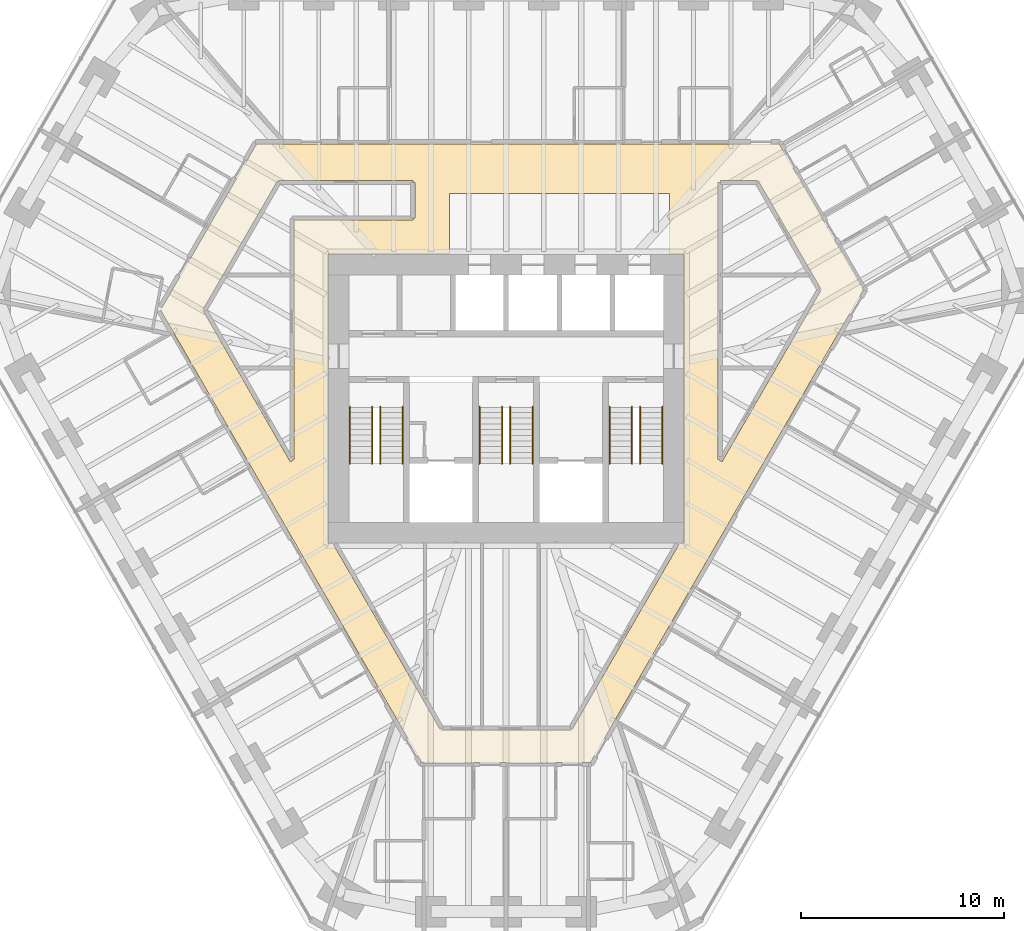
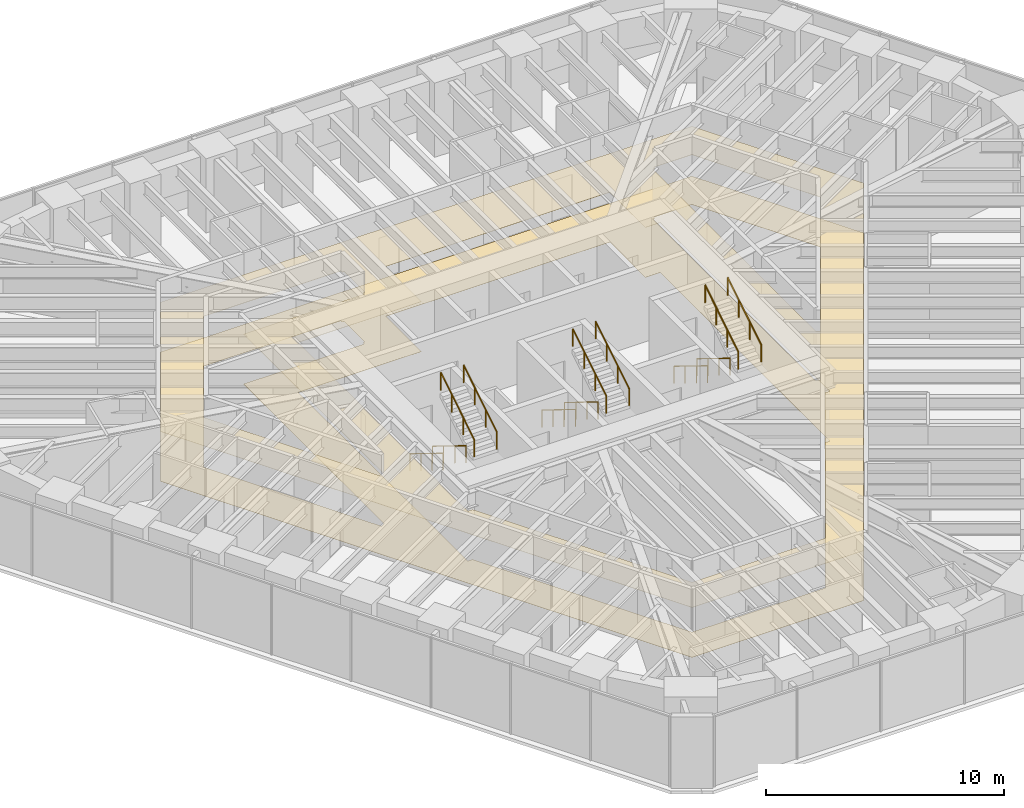
# One storey, part 17 of 17: 12 railings, 2 coverings.
"""IFC4 building model written with IfcOpenShell, lengths in metres."""

from ifc_helpers import new_model, si_unit, direction, frame, origin, origin_2d, place, context, subcontext, project, spatial, polyline, circle, outline, extrude, material, layer, layer_set, type_object, element, save


model = new_model("IFC4")

# Units and contexts
model_context = context("Model", 3, precision=1e-05, world=origin(), true_north=direction((0.0, 1.0)))
body_context = subcontext(model_context, "Body", "Model", "MODEL_VIEW")
ifc_project = project(units=[si_unit("LENGTHUNIT", "METRE"), si_unit("AREAUNIT", "SQUARE_METRE"), si_unit("VOLUMEUNIT", "CUBIC_METRE"), si_unit("PLANEANGLEUNIT", "RADIAN"), si_unit("MASSUNIT", "GRAM", prefix="KILO")], contexts=[model_context])

# Site, building, storey
site_placement = place(None, origin())
site = spatial("IfcSite", under=ifc_project, at=site_placement, CompositionType="ELEMENT")
building_placement = place(site_placement, origin())
building = spatial("IfcBuilding", under=site, at=building_placement, Name="Sandreach Pilgrim Tower", CompositionType="ELEMENT")
storey_placement = place(building_placement, frame((0.0, 0.0, 213.60009765625)))
storey = spatial("IfcBuildingStorey", under=building, at=storey_placement, Name="L53", CompositionType="ELEMENT", Elevation=213.60009765625)

# Coverings
ifc_material_1 = material(Name="Nylon carpet tile on the slab", Category="textile")
ifc_layer_1 = layer(ifc_material_1, 0.008056640625)
ifc_layer_set_1 = layer_set([ifc_layer_1], Name="Carpet tile")
covering_type_1 = type_object("IfcCoveringType", Name="Carpet tile", PredefinedType="FLOORING", material=ifc_layer_set_1)
covering_1_placement = place(storey_placement, origin())
element("IfcCovering", 1, at=covering_1_placement, inside=storey, type_object=covering_type_1, Name="Floor finish 53C Corridor 53", PredefinedType="FLOORING", context=body_context, shape_type="SweptSolid", body=[
    extrude(outline(polyline([(-17.0244140625, 4.369873046875), (-12.292236328125, 12.56005859375), (13.442138671875, 12.56005859375), (17.60302734375, 5.3671875), (4.15234375, -17.929931640625), (-4.15234375, -17.929931640625), (-17.0244140625, 4.369873046875)]), holes=[polyline([(10.449951171875, 10.659912109375), (10.449951171875, -2.9921875), (10.63671875, -3.10009765625), (15.525634765625, 5.370361328125), (12.40771484375, 10.760009765625), (10.56005859375, 10.760009765625), (10.56005859375, 10.66015625), (10.449951171875, 10.659912109375)]), polyline([(-3.227783203125, -16.330078125), (3.227783203125, -16.330078125), (8.542724609375, -7.1201171875), (8.77001953125, -7.1201171875), (8.77001953125, 7.1201171875), (8.050048828125, 7.1201171875), (8.050048828125, 10.10009765625), (-2.800048828125, 10.10009765625), (-2.800048828125, 7.1201171875), (-8.77001953125, 7.1201171875), (-8.77001953125, -7.1201171875), (-8.542724609375, -7.1201171875), (-3.227783203125, -16.330078125)]), polyline([(-14.945556640625, 4.370361328125), (-10.636474609375, -3.10009765625), (-10.449951171875, -2.9921875), (-10.449951171875, 8.800048828125), (-4.60009765625, 8.800048828125), (-4.60009765625, 8.909912109375), (-4.5, 8.909912109375), (-4.5, 10.64990234375), (-4.60009765625, 10.64990234375), (-4.60009765625, 10.760009765625), (-11.247802734375, 10.760009765625), (-14.945556640625, 4.370361328125)])]), origin(), (0.0, 0.0, 1.0), 0.0078125),
])
ifc_material_2 = material(Name="Gypsum board suspended ceiling on a steel grid", Category="steel")
ifc_layer_2 = layer(ifc_material_2, 0.012939453125)
ifc_layer_set_2 = layer_set([ifc_layer_2], Name="Gypsum board suspended ceiling")
covering_type_2 = type_object("IfcCoveringType", Name="Gypsum board suspended ceiling", PredefinedType="CEILING", material=ifc_layer_set_2)
covering_2_placement = place(storey_placement, frame((0.0, 0.0, 2.5498046875)))
element("IfcCovering", 2, at=covering_2_placement, inside=storey, type_object=covering_type_2, Name="Ceiling 53C Corridor 53", PredefinedType="CEILING", context=body_context, shape_type="SweptSolid", body=[
    extrude(outline(polyline([(-17.0244140625, 4.369873046875), (-12.292236328125, 12.56005859375), (13.442138671875, 12.56005859375), (17.60302734375, 5.3671875), (4.15234375, -17.929931640625), (-4.15234375, -17.929931640625), (-17.0244140625, 4.369873046875)]), holes=[polyline([(10.449951171875, 10.659912109375), (10.449951171875, -2.9921875), (10.63671875, -3.10009765625), (15.525634765625, 5.370361328125), (12.40771484375, 10.760009765625), (10.56005859375, 10.760009765625), (10.56005859375, 10.66015625), (10.449951171875, 10.659912109375)]), polyline([(-3.227783203125, -16.330078125), (3.227783203125, -16.330078125), (8.542724609375, -7.1201171875), (8.77001953125, -7.1201171875), (8.77001953125, 7.1201171875), (8.050048828125, 7.1201171875), (8.050048828125, 10.10009765625), (-2.800048828125, 10.10009765625), (-2.800048828125, 7.1201171875), (-8.77001953125, 7.1201171875), (-8.77001953125, -7.1201171875), (-8.542724609375, -7.1201171875), (-3.227783203125, -16.330078125)]), polyline([(-14.945556640625, 4.370361328125), (-10.636474609375, -3.10009765625), (-10.449951171875, -2.9921875), (-10.449951171875, 8.800048828125), (-4.60009765625, 8.800048828125), (-4.60009765625, 8.909912109375), (-4.5, 8.909912109375), (-4.5, 10.64990234375), (-4.60009765625, 10.64990234375), (-4.60009765625, 10.760009765625), (-11.247802734375, 10.760009765625), (-14.945556640625, 4.370361328125)])]), origin(), (0.0, 0.0, 1.0), 0.01318359375),
])

# Railings
ifc_material_3 = material(Name="Stainless steel tube", Category="steel")
railing_type = type_object("IfcRailingType", Name="Stair handrail", PredefinedType="HANDRAIL", material=ifc_material_3)
for number, where, name in (
    (3, (-6.60009765625, -0.39990234375, 0.172607421875), "Handrail ST1 L53 flight 1"),
    (4, (-7.699951171875, -0.39990234375, 0.172607421875), "Handrail ST1 L53 flight 1"),
):
    element("IfcRailing", number, at=place(storey_placement, frame(where)), inside=storey, type_object=railing_type, Name=name, PredefinedType="HANDRAIL", context=body_context, shape_type="SweptSolid", body=[
        extrude(circle(Radius=0.02392578125, at=origin_2d()), frame((0.0, 0.0, 0.8759765625), z_axis=(0.0, -0.851089632645, 0.525020415988), x_axis=(1.0, 0.0, 0.0)), (0.0, 0.0, 1.0), 3.2900390625),
        extrude(circle(Radius=0.02099609375, at=origin_2d()), origin(), (0.0, 0.0, 1.0), 0.851806640625),
        extrude(circle(Radius=0.02099609375, at=origin_2d()), frame((0.0, -0.933349609375, 0.57568359375)), (0.0, 0.0, 1.0), 0.851806640625),
        extrude(circle(Radius=0.02099609375, at=origin_2d()), frame((0.0, -1.86669921875, 1.151611328125)), (0.0, 0.0, 1.0), 0.851806640625),
        extrude(circle(Radius=0.02099609375, at=origin_2d()), frame((0.0, -2.800048828125, 1.727294921875)), (0.0, 0.0, 1.0), 0.851806640625),
    ])
for number, where, name in (
    (5, (-6.199951171875, -3.199951171875, 2.072509765625), "Handrail ST1 L53 flight 2"),
    (6, (-5.10009765625, -3.199951171875, 2.072509765625), "Handrail ST1 L53 flight 2"),
):
    element("IfcRailing", number, at=place(storey_placement, frame(where)), inside=storey, type_object=railing_type, Name=name, PredefinedType="HANDRAIL", context=body_context, shape_type="SweptSolid", body=[
        extrude(circle(Radius=0.02392578125, at=origin_2d()), frame((0.0, 0.0, 0.8759765625), z_axis=(0.0, 0.851089632645, 0.525020415988), x_axis=(-1.0, 0.0, 0.0)), (0.0, 0.0, 1.0), 3.2900390625),
        extrude(circle(Radius=0.02099609375, at=origin_2d()), origin(), (0.0, 0.0, 1.0), 0.851806640625),
        extrude(circle(Radius=0.02099609375, at=origin_2d()), frame((0.0, 0.933349609375, 0.57568359375)), (0.0, 0.0, 1.0), 0.851806640625),
        extrude(circle(Radius=0.02099609375, at=origin_2d()), frame((0.0, 1.86669921875, 1.151611328125)), (0.0, 0.0, 1.0), 0.851806640625),
        extrude(circle(Radius=0.02099609375, at=origin_2d()), frame((0.0, 2.800048828125, 1.727294921875)), (0.0, 0.0, 1.0), 0.851806640625),
    ])
for number, where, name in (
    (7, (-0.199951171875, -0.39990234375, 0.172607421875), "Handrail ST3 L53 flight 1"),
    (8, (-1.300048828125, -0.39990234375, 0.172607421875), "Handrail ST3 L53 flight 1"),
):
    element("IfcRailing", number, at=place(storey_placement, frame(where)), inside=storey, type_object=railing_type, Name=name, PredefinedType="HANDRAIL", context=body_context, shape_type="SweptSolid", body=[
        extrude(circle(Radius=0.02392578125, at=origin_2d()), frame((0.0, 0.0, 0.8759765625), z_axis=(0.0, -0.851089632645, 0.525020415988), x_axis=(1.0, 0.0, 0.0)), (0.0, 0.0, 1.0), 3.2900390625),
        extrude(circle(Radius=0.02099609375, at=origin_2d()), origin(), (0.0, 0.0, 1.0), 0.851806640625),
        extrude(circle(Radius=0.02099609375, at=origin_2d()), frame((0.0, -0.933349609375, 0.57568359375)), (0.0, 0.0, 1.0), 0.851806640625),
        extrude(circle(Radius=0.02099609375, at=origin_2d()), frame((0.0, -1.86669921875, 1.151611328125)), (0.0, 0.0, 1.0), 0.851806640625),
        extrude(circle(Radius=0.02099609375, at=origin_2d()), frame((0.0, -2.800048828125, 1.727294921875)), (0.0, 0.0, 1.0), 0.851806640625),
    ])
for number, where, name in (
    (9, (0.199951171875, -3.199951171875, 2.072509765625), "Handrail ST3 L53 flight 2"),
    (10, (1.300048828125, -3.199951171875, 2.072509765625), "Handrail ST3 L53 flight 2"),
):
    element("IfcRailing", number, at=place(storey_placement, frame(where)), inside=storey, type_object=railing_type, Name=name, PredefinedType="HANDRAIL", context=body_context, shape_type="SweptSolid", body=[
        extrude(circle(Radius=0.02392578125, at=origin_2d()), frame((0.0, 0.0, 0.8759765625), z_axis=(0.0, 0.851089632645, 0.525020415988), x_axis=(-1.0, 0.0, 0.0)), (0.0, 0.0, 1.0), 3.2900390625),
        extrude(circle(Radius=0.02099609375, at=origin_2d()), origin(), (0.0, 0.0, 1.0), 0.851806640625),
        extrude(circle(Radius=0.02099609375, at=origin_2d()), frame((0.0, 0.933349609375, 0.57568359375)), (0.0, 0.0, 1.0), 0.851806640625),
        extrude(circle(Radius=0.02099609375, at=origin_2d()), frame((0.0, 1.86669921875, 1.151611328125)), (0.0, 0.0, 1.0), 0.851806640625),
        extrude(circle(Radius=0.02099609375, at=origin_2d()), frame((0.0, 2.800048828125, 1.727294921875)), (0.0, 0.0, 1.0), 0.851806640625),
    ])
for number, where, name in (
    (11, (6.199951171875, -0.39990234375, 0.172607421875), "Handrail ST2 L53 flight 1"),
    (12, (5.10009765625, -0.39990234375, 0.172607421875), "Handrail ST2 L53 flight 1"),
):
    element("IfcRailing", number, at=place(storey_placement, frame(where)), inside=storey, type_object=railing_type, Name=name, PredefinedType="HANDRAIL", context=body_context, shape_type="SweptSolid", body=[
        extrude(circle(Radius=0.02392578125, at=origin_2d()), frame((0.0, 0.0, 0.8759765625), z_axis=(0.0, -0.851089632645, 0.525020415988), x_axis=(1.0, 0.0, 0.0)), (0.0, 0.0, 1.0), 3.2900390625),
        extrude(circle(Radius=0.02099609375, at=origin_2d()), origin(), (0.0, 0.0, 1.0), 0.851806640625),
        extrude(circle(Radius=0.02099609375, at=origin_2d()), frame((0.0, -0.933349609375, 0.57568359375)), (0.0, 0.0, 1.0), 0.851806640625),
        extrude(circle(Radius=0.02099609375, at=origin_2d()), frame((0.0, -1.86669921875, 1.151611328125)), (0.0, 0.0, 1.0), 0.851806640625),
        extrude(circle(Radius=0.02099609375, at=origin_2d()), frame((0.0, -2.800048828125, 1.727294921875)), (0.0, 0.0, 1.0), 0.851806640625),
    ])
for number, where, name in (
    (13, (6.60009765625, -3.199951171875, 2.072509765625), "Handrail ST2 L53 flight 2"),
    (14, (7.699951171875, -3.199951171875, 2.072509765625), "Handrail ST2 L53 flight 2"),
):
    element("IfcRailing", number, at=place(storey_placement, frame(where)), inside=storey, type_object=railing_type, Name=name, PredefinedType="HANDRAIL", context=body_context, shape_type="SweptSolid", body=[
        extrude(circle(Radius=0.02392578125, at=origin_2d()), frame((0.0, 0.0, 0.8759765625), z_axis=(0.0, 0.851089632645, 0.525020415988), x_axis=(-1.0, 0.0, 0.0)), (0.0, 0.0, 1.0), 3.2900390625),
        extrude(circle(Radius=0.02099609375, at=origin_2d()), origin(), (0.0, 0.0, 1.0), 0.851806640625),
        extrude(circle(Radius=0.02099609375, at=origin_2d()), frame((0.0, 0.933349609375, 0.57568359375)), (0.0, 0.0, 1.0), 0.851806640625),
        extrude(circle(Radius=0.02099609375, at=origin_2d()), frame((0.0, 1.86669921875, 1.151611328125)), (0.0, 0.0, 1.0), 0.851806640625),
        extrude(circle(Radius=0.02099609375, at=origin_2d()), frame((0.0, 2.800048828125, 1.727294921875)), (0.0, 0.0, 1.0), 0.851806640625),
    ])

save(model, "model.ifc")
